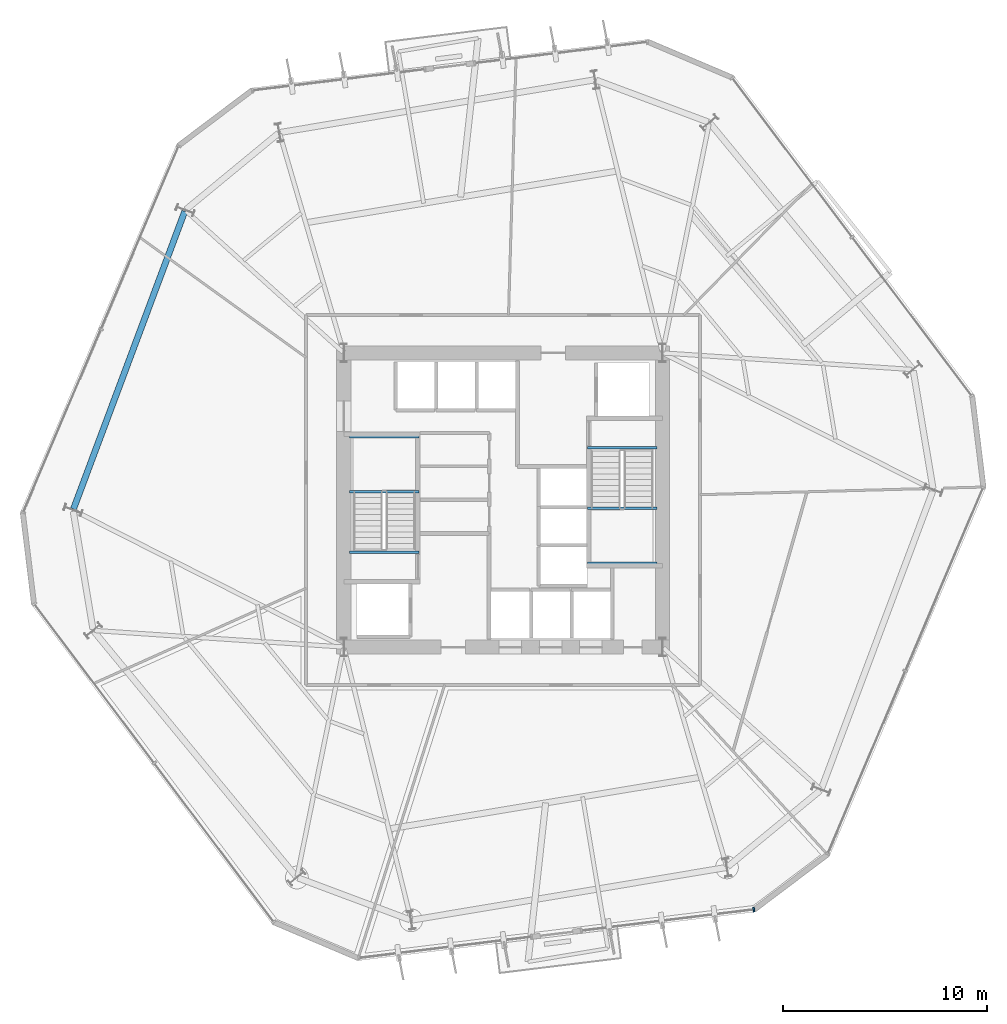
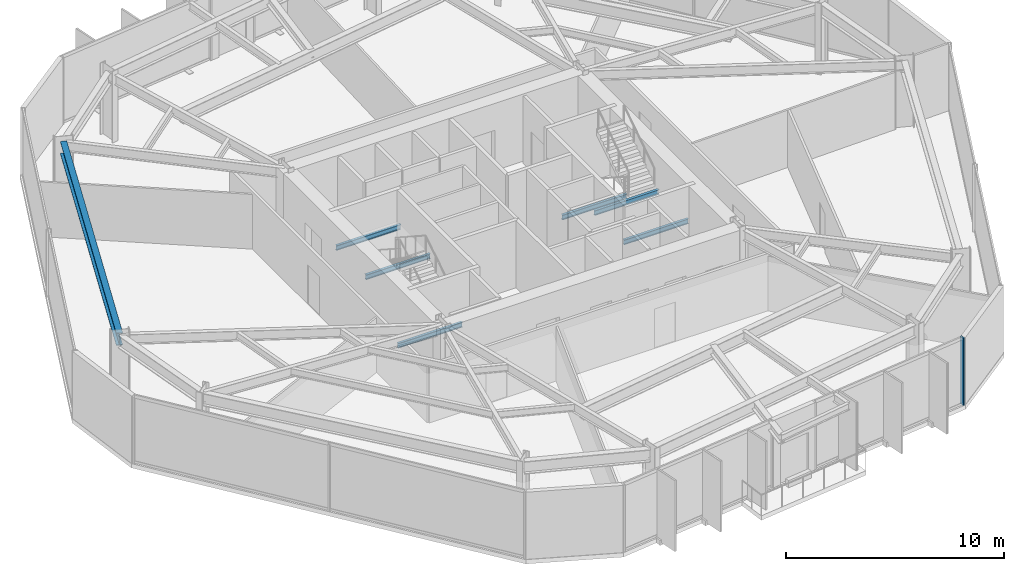
# One storey, part 3 of 11: 7 beams, 1 member, 1 element without a shape of its own.
"""IFC4 building model written with IfcOpenShell, lengths in metres."""

import ifcopenshell
import ifcopenshell.guid

model = None  # the IFC model being written
_history = None  # IfcOwnerHistory: only IFC2X3 demands one
_inside = {}  # id of a spatial element -> (the spatial element, [elements in it])
_under = {}  # id of a project, library or spatial element -> (it, [spatial elements below it])
_declared = {}  # id of a project -> (the project, [libraries it declares])
_typed = {}  # id of a type object -> (the type object, [elements of that type])
_made_of = {}  # id of a material, layer set ... -> (it, [elements and type objects made of it])


def new_model(schema):
    """Start an empty IFC model of exactly this schema.

    Asked for "IFC4X3", IfcOpenShell would pick the latest addendum, in which some entities
    have other attributes; the version numbers below select the first issue.
    IFC2X3 requires an IfcOwnerHistory on every rooted entity: one is made here for all.
    """
    global model, _history
    if schema == "IFC4X3":
        model = ifcopenshell.file(schema_version=(4, 3, 0, 0))
    else:
        model = ifcopenshell.file(schema=schema)
    _inside.clear()
    _under.clear()
    _declared.clear()
    _typed.clear()
    _made_of.clear()
    _history = None
    if model.schema == "IFC2X3":
        org = make("IfcOrganization", Name="unknown")
        user = make(
            "IfcPersonAndOrganization",
            ThePerson=make("IfcPerson", FamilyName="unknown"),
            TheOrganization=org,
        )
        app = make(
            "IfcApplication",
            ApplicationDeveloper=org,
            Version="unknown",
            ApplicationFullName="unknown",
            ApplicationIdentifier="unknown",
        )
        _history = make(
            "IfcOwnerHistory",
            OwningUser=user,
            OwningApplication=app,
            ChangeAction="ADDED",
            CreationDate=0,
        )
    return model


def make(cls, **values):
    """One entity of the class cls with the attributes given. An attribute that is None is left unset."""
    return model.create_entity(
        cls, **{name: value for name, value in values.items() if value is not None}
    )


def rooted(cls, **values):
    """An entity with a GlobalId (a new one), such as an element, a storey or a relation."""
    return make(cls, GlobalId=ifcopenshell.guid.new(), OwnerHistory=_history, **values)


def si_unit(unit_type, name, prefix=None):
    """IfcSIUnit, for example si_unit("LENGTHUNIT", "METRE", prefix="MILLI")."""
    return make("IfcSIUnit", UnitType=unit_type, Prefix=prefix, Name=name)


def assignment(units):
    """IfcUnitAssignment: the units of a project."""
    return None if units is None else make("IfcUnitAssignment", Units=units)


def point(xyz):
    """IfcCartesianPoint."""
    return None if xyz is None else make("IfcCartesianPoint", Coordinates=xyz)


def direction(xyz):
    """IfcDirection."""
    return None if xyz is None else make("IfcDirection", DirectionRatios=xyz)


def frame(location, z_axis=None, x_axis=None):
    """IfcAxis2Placement3D, a coordinate frame: its origin and axes. An axis left out is left unset."""
    return make(
        "IfcAxis2Placement3D",
        Location=point(location),
        Axis=direction(z_axis),
        RefDirection=direction(x_axis),
    )


def frame_2d(location, x_axis=None):
    """IfcAxis2Placement2D, a coordinate frame in the plane: its origin and x axis."""
    return make(
        "IfcAxis2Placement2D", Location=point(location), RefDirection=direction(x_axis)
    )


def origin():
    """The frame at (0, 0, 0) with its axes left unset."""
    return frame((0.0, 0.0, 0.0))


def origin_2d():
    """The frame at (0, 0) in the plane with its x axis left unset."""
    return frame_2d((0.0, 0.0))


def place(relative_to, where):
    """IfcLocalPlacement: puts the frame where relative to a parent placement (None: the world)."""
    return make(
        "IfcLocalPlacement", PlacementRelTo=relative_to, RelativePlacement=where
    )


def context(
    kind, dimensions, precision=None, world=None, true_north=None, identifier=None
):
    """IfcGeometricRepresentationContext, for example the 3D "Model" context."""
    return make(
        "IfcGeometricRepresentationContext",
        ContextIdentifier=identifier,
        ContextType=kind,
        CoordinateSpaceDimension=dimensions,
        Precision=precision,
        WorldCoordinateSystem=world,
        TrueNorth=true_north,
    )


def subcontext(parent, identifier, kind, view, scale=None):
    """IfcGeometricRepresentationSubContext, for example "Body" below "Model"."""
    return make(
        "IfcGeometricRepresentationSubContext",
        ContextIdentifier=identifier,
        ContextType=kind,
        ParentContext=parent,
        TargetScale=scale,
        TargetView=view,
    )


def project(units=None, contexts=None):
    """IfcProject with its units and contexts."""
    return rooted(
        "IfcProject",
        Name="project",
        RepresentationContexts=contexts,
        UnitsInContext=assignment(units),
    )


def spatial(cls, under=None, at=None, **own):
    """A site, building, storey or space (cls), placed at a placement, below another one or the project."""
    s = rooted(cls, ObjectPlacement=at, **own)
    if under is not None:
        _under.setdefault(under.id(), (under, []))[1].append(s)
    return s


def profile(cls, at=None, kind="AREA", **sizes):
    """A parametric profile (cls). Its sizes go by their IFC names, for example OverallWidth=200.0."""
    return make(cls, ProfileType=kind, Position=at, **sizes)


def rectangle(**sizes):
    """IfcRectangleProfileDef."""
    return profile("IfcRectangleProfileDef", **sizes)


def i_section(**sizes):
    """IfcIShapeProfileDef."""
    return profile("IfcIShapeProfileDef", **sizes)


def extrude(swept, where, along, depth):
    """IfcExtrudedAreaSolid: the profile swept, set in the frame where, extruded along a direction by depth."""
    return make(
        "IfcExtrudedAreaSolid",
        SweptArea=swept,
        Position=where,
        ExtrudedDirection=direction(along),
        Depth=depth,
    )


def shape(context_of_items, identifier, shape_type, items):
    """IfcShapeRepresentation: the items that make up one representation, for example the "Body"."""
    return make(
        "IfcShapeRepresentation",
        ContextOfItems=context_of_items,
        RepresentationIdentifier=identifier,
        RepresentationType=shape_type,
        Items=items,
    )


def material(Name=None, Category=None):
    """IfcMaterial."""
    return make("IfcMaterial", Name=Name, Category=Category)


def layer(
    of_material, thickness, ventilated=None, Name=None, Category=None, Priority=None
):
    """IfcMaterialLayer: one layer of a wall or slab, of a material (None: an air gap)."""
    return make(
        "IfcMaterialLayer",
        Material=of_material,
        LayerThickness=thickness,
        IsVentilated=ventilated,
        Name=Name,
        Category=Category,
        Priority=Priority,
    )


def layer_set(layers, Name=None):
    """IfcMaterialLayerSet."""
    return make("IfcMaterialLayerSet", MaterialLayers=layers, LayerSetName=Name)


def material_profile(
    of_material, cross_section, Name=None, Category=None, Priority=None
):
    """IfcMaterialProfile: a cross section and its material."""
    return make(
        "IfcMaterialProfile",
        Name=Name,
        Material=of_material,
        Profile=cross_section,
        Priority=Priority,
        Category=Category,
    )


def profile_set(profiles, Name=None, composite=None):
    """IfcMaterialProfileSet."""
    return make(
        "IfcMaterialProfileSet",
        Name=Name,
        MaterialProfiles=profiles,
        CompositeProfile=composite,
    )


def made_of(thing, what):
    """Note that an element or type object is made of a material, layer set ...; save() writes the relation."""
    if what is not None:
        _made_of.setdefault(what.id(), (what, []))[1].append(thing)
    return thing


def type_object(cls, material=None, **own):
    """A type object (cls), such as IfcWallType, which elements share."""
    return made_of(rooted(cls, **own), material)


def element(
    cls,
    number,
    at=None,
    inside=None,
    cuts=None,
    type_object=None,
    material=None,
    context=None,
    identifier="Body",
    shape_type=None,
    held_by="IfcProductDefinitionShape",
    body=None,
    shapes=None,
    **own,
):
    """One element of the class cls, such as IfcWall. Its Tag is "e" and its number.

    at: its placement. inside: the storey or other place that contains it. cuts: it is an
    opening in that element (IfcRelVoidsElement). A single representation is given by context,
    identifier, shape_type and body (its items); several are given by shapes. held_by: the class
    of the entity that holds the representations. save() writes the other relations.
    """
    e = rooted(cls, Tag="e%d" % number, ObjectPlacement=at, **own)
    if body is not None:
        shapes = [shape(context, identifier, shape_type, body)]
    if shapes is not None:
        e.Representation = make(held_by, Representations=shapes)
    if inside is not None:
        _inside.setdefault(inside.id(), (inside, []))[1].append(e)
    if cuts is not None:
        rooted(
            "IfcRelVoidsElement", RelatingBuildingElement=cuts, RelatedOpeningElement=e
        )
    if type_object is not None:
        _typed.setdefault(type_object.id(), (type_object, []))[1].append(e)
    return made_of(e, material)


def aggregate(whole, parts):
    """IfcRelAggregates: a whole, such as a stair, and the parts it consists of."""
    return rooted("IfcRelAggregates", RelatingObject=whole, RelatedObjects=parts)


def save(model, path):
    """Write the relations noted so far, then the file.

    IfcRelAggregates (storeys below a building ...), IfcRelContainedInSpatialStructure (elements
    in a storey), IfcRelDefinesByType, IfcRelAssociatesMaterial and IfcRelDeclares: one each for
    every whole, place, type object, material and project.
    """
    for whole, parts in _under.values():
        aggregate(whole, parts)
    for where, things in _inside.values():
        rooted(
            "IfcRelContainedInSpatialStructure",
            RelatedElements=things,
            RelatingStructure=where,
        )
    for kind, things in _typed.values():
        rooted("IfcRelDefinesByType", RelatedObjects=things, RelatingType=kind)
    for what, things in _made_of.values():
        rooted("IfcRelAssociatesMaterial", RelatedObjects=things, RelatingMaterial=what)
    for by, libraries in _declared.values():
        rooted("IfcRelDeclares", RelatingContext=by, RelatedDefinitions=libraries)
    model.write(path)


model = new_model("IFC4")

# Units and contexts
model_context = context("Model", 3, precision=1e-05, world=origin(), true_north=direction((0.0, 1.0)))
body_context = subcontext(model_context, "Body", "Model", "MODEL_VIEW")
ifc_project = project(units=[si_unit("LENGTHUNIT", "METRE"), si_unit("AREAUNIT", "SQUARE_METRE"), si_unit("VOLUMEUNIT", "CUBIC_METRE"), si_unit("PLANEANGLEUNIT", "RADIAN"), si_unit("MASSUNIT", "GRAM", prefix="KILO")], contexts=[model_context])

# Site, building, storey
site_placement = place(None, origin())
site = spatial("IfcSite", under=ifc_project, at=site_placement, CompositionType="ELEMENT")
building_placement = place(site_placement, origin())
building = spatial("IfcBuilding", under=site, at=building_placement, Name="Kranzbogen Civic Tower", CompositionType="ELEMENT")
storey_placement = place(building_placement, frame((0.0, 0.0, 48.0)))
storey = spatial("IfcBuildingStorey", under=building, at=storey_placement, Name="L11", CompositionType="ELEMENT", Elevation=48.0)

# Curtain wall, member
ifc_material_1 = material(Name="Pale Anodised Aluminium", Category="aluminium")
ifc_layer = layer(ifc_material_1, 0.219970703125, Name="Pale Anodised Aluminium")
ifc_layer_set = layer_set([ifc_layer], Name="Pale Anodised Aluminium")
curtain_wall_type = type_object("IfcCurtainWallType", Name="Zone 1 Stick Curtain Wall System CW-02", PredefinedType="USERDEFINED", material=ifc_layer_set)
curtain_wall_placement = place(storey_placement, origin())
curtain_wall = element("IfcCurtainWall", 1, at=curtain_wall_placement, inside=storey, type_object=curtain_wall_type, Name="L11 curtain wall CW-L11-F5-S2", ObjectType="STICK CURTAIN WALL", PredefinedType="USERDEFINED")
ifc_material_profile_1 = material_profile(ifc_material_1, rectangle(XDim=0.080078125, YDim=0.239990234375, at=origin_2d()), Name="ALU-M 80x240")
ifc_profile_set_1 = profile_set([ifc_material_profile_1], Name="Pale Anodised Aluminium")
member_type = type_object("IfcMemberType", Name="Curtain Wall Mullion ALU-M 80x240", PredefinedType="MULLION", material=ifc_profile_set_1)
member_placement = place(storey_placement, frame((37.276123046875, 4.9482421875, 0.0), z_axis=(0.0, 0.0, 1.0), x_axis=(0.99255360517, 0.121808623929, 0.0)))
member = element("IfcMember", 2, at=member_placement, type_object=member_type, Name="CW-02 mullion 2", PredefinedType="MULLION", context=body_context, shape_type="SweptSolid", body=[
    extrude(rectangle(XDim=0.080078125, YDim=0.239990234375, at=origin_2d()), origin(), (0.0, 0.0, 1.0), 3.760009765625),
])
aggregate(curtain_wall, [member])

# Beams
ifc_material_2 = material(Name="Steel S355", Category="steel")
ifc_material_profile_2 = material_profile(ifc_material_2, i_section(OverallWidth=0.300048828125, OverallDepth=0.699951171875, WebThickness=0.01708984375, FlangeThickness=0.031982421875, at=origin_2d()), Name="HEB 700")
ifc_profile_set_2 = profile_set([ifc_material_profile_2], Name="Steel S355")
beam_type_1 = type_object("IfcBeamType", Name="Perimeter Tube Spandrel Beam HEB 700", PredefinedType="SPANDREL", material=ifc_profile_set_2)
beam_placement = place(storey_placement, frame((9.412109375, 39.133056640625, 3.409912109375), z_axis=(-0.350172267932, -0.936685316833, 0.0), x_axis=(0.936685316833, -0.350172267932, 0.0)))
element("IfcBeam", 3, at=beam_placement, inside=storey, type_object=beam_type_1, Name="L11 perimeter spandrel beam 12", PredefinedType="SPANDREL", context=body_context, shape_type="SweptSolid", body=[
    extrude(i_section(OverallWidth=0.300048828125, OverallDepth=0.699951171875, WebThickness=0.01708984375, FlangeThickness=0.031982421875, at=origin_2d()), origin(), (0.0, 0.0, 1.0), 15.55810546875),
])
ifc_material_profile_3 = material_profile(ifc_material_2, i_section(OverallWidth=0.135009765625, OverallDepth=0.27001953125, WebThickness=0.006591796875, FlangeThickness=0.01025390625, at=origin_2d()), Name="IPE 270")
ifc_profile_set_3 = profile_set([ifc_material_profile_3], Name="Steel S355")
beam_type_2 = type_object("IfcBeamType", Name="Stair Landing Support Beam IPE 270", PredefinedType="JOIST", material=ifc_profile_set_3)
for number, where, z_axis, x_axis, name in (
    (4, (20.8798828125, 22.43994140625, -0.375), (-1.0, 0.0, 0.0), (0.0, -1.0, 0.0), "L11 ST-T1 stair floor header beam"),
    (5, (20.8798828125, 25.39990234375, 1.6650390625), (-1.0, 0.0, 0.0), (0.0, -1.0, 0.0), "L11 ST-T1 landing support beam 1.1"),
    (6, (20.8798828125, 28.10009765625, 1.6650390625), (-1.0, 0.0, 0.0), (0.0, -1.0, 0.0), "L11 ST-T1 landing support beam 1.2"),
    (7, (29.1201171875, 27.56005859375, -0.375), (1.0, 0.0, 0.0), (0.0, 1.0, 0.0), "L11 ST-T2 stair floor header beam"),
    (8, (29.1201171875, 24.60009765625, 1.6650390625), (1.0, 0.0, 0.0), (0.0, 1.0, 0.0), "L11 ST-T2 landing support beam 1.1"),
    (9, (29.1201171875, 21.89990234375, 1.6650390625), (1.0, 0.0, 0.0), (0.0, 1.0, 0.0), "L11 ST-T2 landing support beam 1.2"),
):
    element("IfcBeam", number, at=place(storey_placement, frame(where, z_axis=z_axis, x_axis=x_axis)), inside=storey, type_object=beam_type_2, Name=name, PredefinedType="JOIST", context=body_context, shape_type="SweptSolid", body=[
        extrude(i_section(OverallWidth=0.135009765625, OverallDepth=0.27001953125, WebThickness=0.006591796875, FlangeThickness=0.01025390625, at=origin_2d()), origin(), (0.0, 0.0, 1.0), 3.409912109375),
    ])

save(model, "model.ifc")
